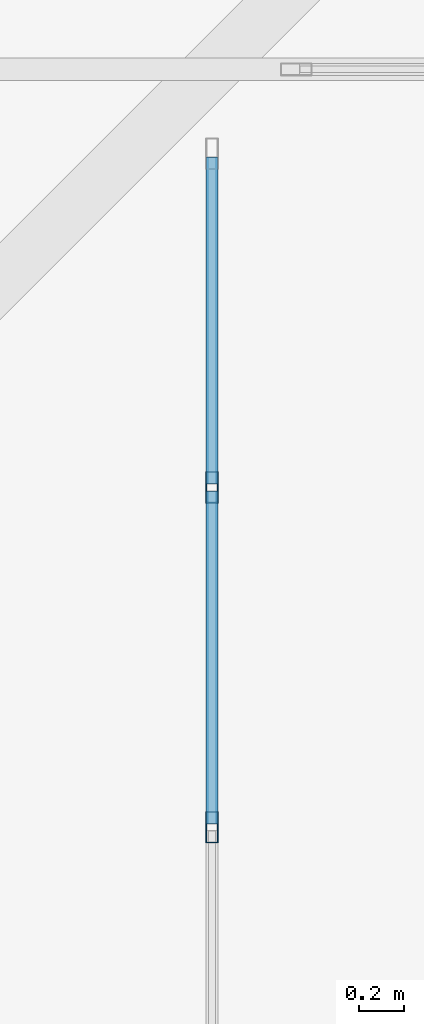
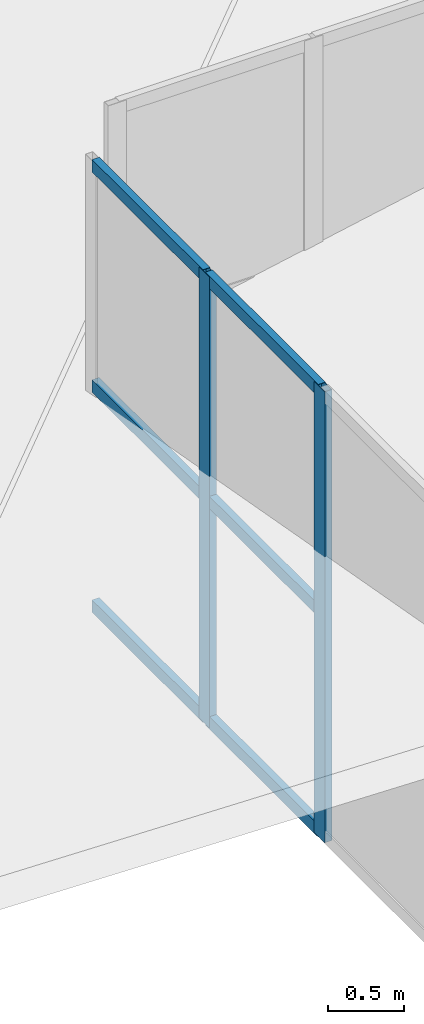
# One storey, part 220 of 397: 8 members, 1 element without a shape of its own.
"""IFC4 building model written with IfcOpenShell, lengths in metres."""

from ifc_helpers import new_model, si_unit, direction, frame, origin, origin_2d, place, context, subcontext, project, spatial, hollow_rectangle, extrude, material, material_profile, profile_set, type_object, element, aggregate, save


model = new_model("IFC4")

# Units and contexts
model_context = context("Model", 3, precision=1e-05, world=origin(), true_north=direction((0.0, 1.0)))
body_context = subcontext(model_context, "Body", "Model", "MODEL_VIEW")
ifc_project = project(units=[si_unit("LENGTHUNIT", "METRE"), si_unit("AREAUNIT", "SQUARE_METRE"), si_unit("VOLUMEUNIT", "CUBIC_METRE"), si_unit("PLANEANGLEUNIT", "RADIAN"), si_unit("MASSUNIT", "GRAM", prefix="KILO")], contexts=[model_context])

# Site, building, storey
site_placement = place(None, origin())
site = spatial("IfcSite", under=ifc_project, at=site_placement, CompositionType="ELEMENT")
building_placement = place(site_placement, origin())
building = spatial("IfcBuilding", under=site, at=building_placement, Name="Qandorah Velis Arena", CompositionType="ELEMENT")
storey_placement = place(building_placement, frame((0.0, 0.0, 27.5)))
storey = spatial("IfcBuildingStorey", under=building, at=storey_placement, Name="RF", CompositionType="ELEMENT", Elevation=27.5)

# Curtain wall, members
ifc_material_1 = material(Name="Solar-control low-E double glazing", Category="glass")
curtain_wall_type = type_object("IfcCurtainWallType", Name="ARC-CW-SYS12", PredefinedType="USERDEFINED", material=ifc_material_1)
curtain_wall_placement = place(storey_placement, origin())
curtain_wall = element("IfcCurtainWall", 1, at=curtain_wall_placement, inside=storey, type_object=curtain_wall_type, Name="Unitised curtain wall MON-1-6", ObjectType="UNITISED CURTAIN WALL", PredefinedType="USERDEFINED")
ifc_material_2 = material(Name="Champagne-bronze anodized aluminium 6063-T6", Category="aluminium")
ifc_material_profile_1 = material_profile(ifc_material_2, hollow_rectangle(XDim=0.054931640625, YDim=0.139892578125, WallThickness=0.0029296875, at=origin_2d()), Name="ALU MULLION 55x140")
ifc_profile_set_1 = profile_set([ifc_material_profile_1], Name="Champagne-bronze anodized aluminium 6063-T6")
member_type_1 = type_object("IfcMemberType", Name="ARC-CWM-140", PredefinedType="MULLION", material=ifc_profile_set_1)
member_1_placement = place(storey_placement, frame((21.60009765625, 104.60546875, 3.5263671875), z_axis=(0.0, 0.0, 1.0), x_axis=(-1.0, 0.0, 0.0)))
member_1 = element("IfcMember", 2, at=member_1_placement, type_object=member_type_1, Name="CW12 mullion 8", PredefinedType="MULLION", context=body_context, shape_type="SweptSolid", body=[
    extrude(hollow_rectangle(XDim=0.054931640625, YDim=0.139892578125, WallThickness=0.0029296875, at=origin_2d()), origin(), (0.0, 0.0, 1.0), 3.630126953125),
])
member_2_placement = place(storey_placement, frame((21.60009765625, 106.127685546875, 3.5263671875), z_axis=(0.0, 0.0, 1.0), x_axis=(-1.0, 0.0, 0.0)))
member_2 = element("IfcMember", 3, at=member_2_placement, type_object=member_type_1, Name="CW12 mullion 9", PredefinedType="MULLION", context=body_context, shape_type="SweptSolid", body=[
    extrude(hollow_rectangle(XDim=0.054931640625, YDim=0.139892578125, WallThickness=0.0029296875, at=origin_2d()), origin(), (0.0, 0.0, 1.0), 3.630126953125),
])
ifc_material_profile_2 = material_profile(ifc_material_2, hollow_rectangle(XDim=0.054931640625, YDim=0.10009765625, WallThickness=0.0029296875, at=origin_2d()), Name="ALU TRANSOM 55x100")
ifc_profile_set_2 = profile_set([ifc_material_profile_2], Name="Champagne-bronze anodized aluminium 6063-T6")
member_type_2 = type_object("IfcMemberType", Name="ARC-CWT-100", PredefinedType="USERDEFINED", material=ifc_profile_set_2)
member_3_placement = place(storey_placement, frame((21.60009765625, 104.62109375, 3.56884765625), z_axis=(0.0, 1.0, 0.0), x_axis=(-1.0, 0.0, 0.0)))
member_3 = element("IfcMember", 4, at=member_3_placement, type_object=member_type_2, Name="CW12 transom 8.1", ObjectType="TRANSOM", PredefinedType="USERDEFINED", context=body_context, shape_type="SweptSolid", body=[
    extrude(hollow_rectangle(XDim=0.054931640625, YDim=0.10009765625, WallThickness=0.0029296875, at=origin_2d()), origin(), (0.0, 0.0, 1.0), 1.4912109375),
])
member_4_placement = place(storey_placement, frame((21.60009765625, 104.62109375, 5.34130859375), z_axis=(0.0, 1.0, 0.0), x_axis=(-1.0, 0.0, 0.0)))
member_4 = element("IfcMember", 5, at=member_4_placement, type_object=member_type_2, Name="CW12 transom 8.2", ObjectType="TRANSOM", PredefinedType="USERDEFINED", context=body_context, shape_type="SweptSolid", body=[
    extrude(hollow_rectangle(XDim=0.054931640625, YDim=0.10009765625, WallThickness=0.0029296875, at=origin_2d()), origin(), (0.0, 0.0, 1.0), 1.4912109375),
])
member_5_placement = place(storey_placement, frame((21.60009765625, 104.62109375, 7.114013671875), z_axis=(0.0, 1.0, 0.0), x_axis=(-1.0, 0.0, 0.0)))
member_5 = element("IfcMember", 6, at=member_5_placement, type_object=member_type_2, Name="CW12 transom 8.3", ObjectType="TRANSOM", PredefinedType="USERDEFINED", context=body_context, shape_type="SweptSolid", body=[
    extrude(hollow_rectangle(XDim=0.054931640625, YDim=0.10009765625, WallThickness=0.0029296875, at=origin_2d()), origin(), (0.0, 0.0, 1.0), 1.4912109375),
])
member_6_placement = place(storey_placement, frame((21.60009765625, 106.143310546875, 3.56884765625), z_axis=(0.0, 1.0, 0.0), x_axis=(-1.0, 0.0, 0.0)))
member_6 = element("IfcMember", 7, at=member_6_placement, type_object=member_type_2, Name="CW12 transom 9.1", ObjectType="TRANSOM", PredefinedType="USERDEFINED", context=body_context, shape_type="SweptSolid", body=[
    extrude(hollow_rectangle(XDim=0.054931640625, YDim=0.10009765625, WallThickness=0.0029296875, at=origin_2d()), origin(), (0.0, 0.0, 1.0), 1.463623046875),
])
member_7_placement = place(storey_placement, frame((21.60009765625, 106.143310546875, 5.34130859375), z_axis=(0.0, 1.0, 0.0), x_axis=(-1.0, 0.0, 0.0)))
member_7 = element("IfcMember", 8, at=member_7_placement, type_object=member_type_2, Name="CW12 transom 9.2", ObjectType="TRANSOM", PredefinedType="USERDEFINED", context=body_context, shape_type="SweptSolid", body=[
    extrude(hollow_rectangle(XDim=0.054931640625, YDim=0.10009765625, WallThickness=0.0029296875, at=origin_2d()), origin(), (0.0, 0.0, 1.0), 1.463623046875),
])
member_8_placement = place(storey_placement, frame((21.60009765625, 106.143310546875, 7.114013671875), z_axis=(0.0, 1.0, 0.0), x_axis=(-1.0, 0.0, 0.0)))
member_8 = element("IfcMember", 9, at=member_8_placement, type_object=member_type_2, Name="CW12 transom 9.3", ObjectType="TRANSOM", PredefinedType="USERDEFINED", context=body_context, shape_type="SweptSolid", body=[
    extrude(hollow_rectangle(XDim=0.054931640625, YDim=0.10009765625, WallThickness=0.0029296875, at=origin_2d()), origin(), (0.0, 0.0, 1.0), 1.463623046875),
])
aggregate(curtain_wall, [member_1, member_2, member_3, member_4, member_5, member_6, member_7, member_8])

save(model, "model.ifc")
